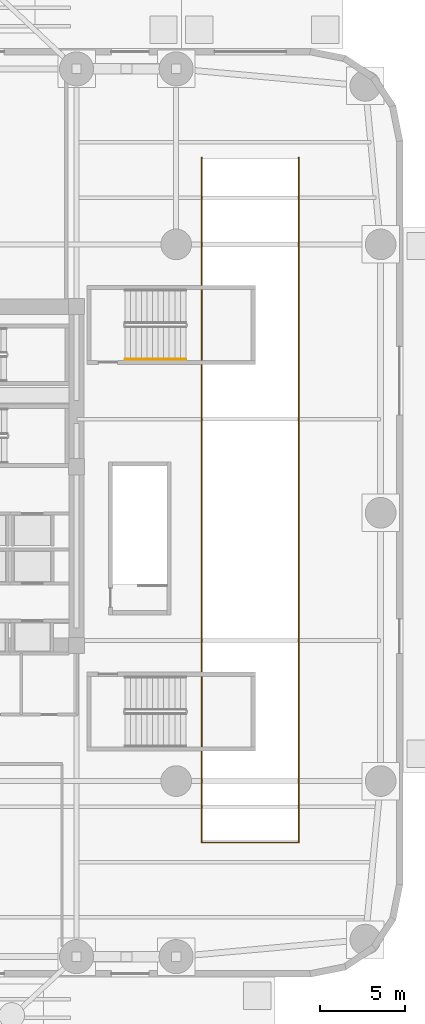
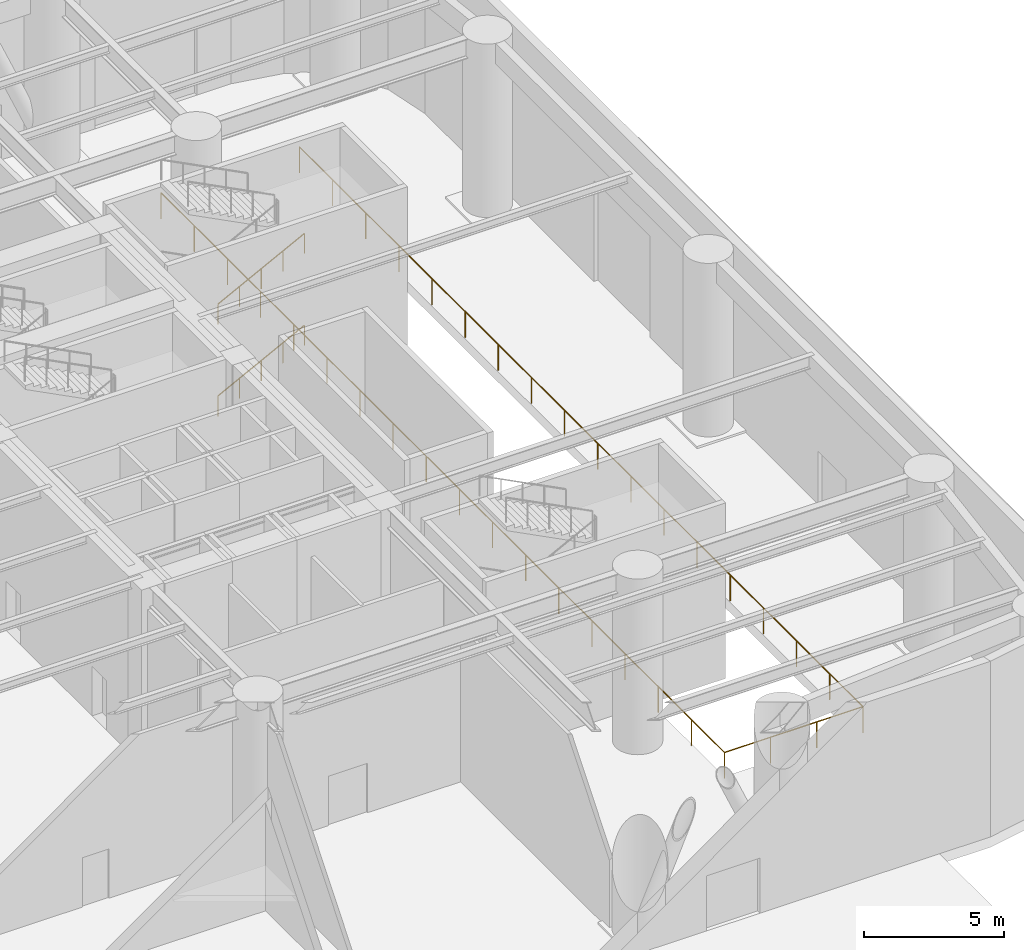
# One storey, part 22 of 25: 3 railings.
"""IFC4 building model written with IfcOpenShell, lengths in metres."""

from ifc_helpers import new_model, si_unit, direction, frame, origin, origin_2d, place, context, subcontext, project, spatial, circle, extrude, material, type_object, element, save


model = new_model("IFC4")

# Units and contexts
model_context = context("Model", 3, precision=1e-05, world=origin(), true_north=direction((0.0, 1.0)))
body_context = subcontext(model_context, "Body", "Model", "MODEL_VIEW")
ifc_project = project(units=[si_unit("LENGTHUNIT", "METRE"), si_unit("AREAUNIT", "SQUARE_METRE"), si_unit("VOLUMEUNIT", "CUBIC_METRE"), si_unit("PLANEANGLEUNIT", "RADIAN"), si_unit("MASSUNIT", "GRAM", prefix="KILO")], contexts=[model_context])

# Site, building, storey
site_placement = place(None, origin())
site = spatial("IfcSite", under=ifc_project, at=site_placement, CompositionType="ELEMENT")
building_placement = place(site_placement, origin())
building = spatial("IfcBuilding", under=site, at=building_placement, Name="Kolvaren Arena Tower", CompositionType="ELEMENT")
storey_placement = place(building_placement, origin())
storey = spatial("IfcBuildingStorey", under=building, at=storey_placement, Name="L00", CompositionType="ELEMENT", Elevation=0.0)

# Railings
ifc_material_1 = material(Name="Painted galvanized steel", Category="steel")
railing_type_1 = type_object("IfcRailingType", Name="GUARD-ST-110", PredefinedType="GUARDRAIL", material=ifc_material_1)
railing_placement = place(storey_placement, frame((67.699951171875, 48.10009765625, 0.0)))
element("IfcRailing", 1, at=railing_placement, inside=storey, type_object=railing_type_1, Name="Vehicle Ramp Well Guardrail (L00)", PredefinedType="GUARDRAIL", context=body_context, shape_type="SweptSolid", body=[
    extrude(circle(Radius=0.02392578125, at=origin_2d()), frame((0.0, 0.0, 1.1259765625), z_axis=(0.0, -1.0, 0.0), x_axis=(1.0, 0.0, 0.0)), (0.0, 0.0, 1.0), 40.2001953125),
    extrude(circle(Radius=0.02392578125, at=origin_2d()), frame((0.0, -40.2001953125, 1.1259765625), z_axis=(1.0, 0.0, 0.0), x_axis=(0.0, 1.0, 0.0)), (0.0, 0.0, 1.0), 5.699951171875),
    extrude(circle(Radius=0.02392578125, at=origin_2d()), frame((5.699951171875, -40.2001953125, 1.1259765625), z_axis=(0.0, 1.0, 0.0), x_axis=(-1.0, 0.0, 0.0)), (0.0, 0.0, 1.0), 40.2001953125),
    extrude(circle(Radius=0.02099609375, at=origin_2d()), origin(), (0.0, 0.0, 1.0), 1.101806640625),
    extrude(circle(Radius=0.02099609375, at=origin_2d()), frame((0.0, -2.36474609375, 0.0)), (0.0, 0.0, 1.0), 1.101806640625),
    extrude(circle(Radius=0.02099609375, at=origin_2d()), frame((0.0, -4.7294921875, 0.0)), (0.0, 0.0, 1.0), 1.101806640625),
    extrude(circle(Radius=0.02099609375, at=origin_2d()), frame((0.0, -7.09423828125, 0.0)), (0.0, 0.0, 1.0), 1.101806640625),
    extrude(circle(Radius=0.02099609375, at=origin_2d()), frame((0.0, -9.458984375, 0.0)), (0.0, 0.0, 1.0), 1.101806640625),
    extrude(circle(Radius=0.02099609375, at=origin_2d()), frame((0.0, -11.823486328125, 0.0)), (0.0, 0.0, 1.0), 1.101806640625),
    extrude(circle(Radius=0.02099609375, at=origin_2d()), frame((0.0, -14.188232421875, 0.0)), (0.0, 0.0, 1.0), 1.101806640625),
    extrude(circle(Radius=0.02099609375, at=origin_2d()), frame((0.0, -16.552978515625, 0.0)), (0.0, 0.0, 1.0), 1.101806640625),
    extrude(circle(Radius=0.02099609375, at=origin_2d()), frame((0.0, -18.917724609375, 0.0)), (0.0, 0.0, 1.0), 1.101806640625),
    extrude(circle(Radius=0.02099609375, at=origin_2d()), frame((0.0, -21.282470703125, 0.0)), (0.0, 0.0, 1.0), 1.101806640625),
    extrude(circle(Radius=0.02099609375, at=origin_2d()), frame((0.0, -23.647216796875, 0.0)), (0.0, 0.0, 1.0), 1.101806640625),
    extrude(circle(Radius=0.02099609375, at=origin_2d()), frame((0.0, -26.011962890625, 0.0)), (0.0, 0.0, 1.0), 1.101806640625),
    extrude(circle(Radius=0.02099609375, at=origin_2d()), frame((0.0, -28.376708984375, 0.0)), (0.0, 0.0, 1.0), 1.101806640625),
    extrude(circle(Radius=0.02099609375, at=origin_2d()), frame((0.0, -30.7412109375, 0.0)), (0.0, 0.0, 1.0), 1.101806640625),
    extrude(circle(Radius=0.02099609375, at=origin_2d()), frame((0.0, -33.10595703125, 0.0)), (0.0, 0.0, 1.0), 1.101806640625),
    extrude(circle(Radius=0.02099609375, at=origin_2d()), frame((0.0, -35.470703125, 0.0)), (0.0, 0.0, 1.0), 1.101806640625),
    extrude(circle(Radius=0.02099609375, at=origin_2d()), frame((0.0, -37.83544921875, 0.0)), (0.0, 0.0, 1.0), 1.101806640625),
    extrude(circle(Radius=0.02099609375, at=origin_2d()), frame((0.0, -40.2001953125, 0.0)), (0.0, 0.0, 1.0), 1.101806640625),
    extrude(circle(Radius=0.02099609375, at=origin_2d()), frame((1.89990234375, -40.2001953125, 0.0)), (0.0, 0.0, 1.0), 1.101806640625),
    extrude(circle(Radius=0.02099609375, at=origin_2d()), frame((3.800048828125, -40.2001953125, 0.0)), (0.0, 0.0, 1.0), 1.101806640625),
    extrude(circle(Radius=0.02099609375, at=origin_2d()), frame((5.699951171875, -40.2001953125, 0.0)), (0.0, 0.0, 1.0), 1.101806640625),
    extrude(circle(Radius=0.02099609375, at=origin_2d()), frame((5.699951171875, -37.83544921875, 0.0)), (0.0, 0.0, 1.0), 1.101806640625),
    extrude(circle(Radius=0.02099609375, at=origin_2d()), frame((5.699951171875, -35.470703125, 0.0)), (0.0, 0.0, 1.0), 1.101806640625),
    extrude(circle(Radius=0.02099609375, at=origin_2d()), frame((5.699951171875, -33.10595703125, 0.0)), (0.0, 0.0, 1.0), 1.101806640625),
    extrude(circle(Radius=0.02099609375, at=origin_2d()), frame((5.699951171875, -30.7412109375, 0.0)), (0.0, 0.0, 1.0), 1.101806640625),
    extrude(circle(Radius=0.02099609375, at=origin_2d()), frame((5.699951171875, -28.376708984375, 0.0)), (0.0, 0.0, 1.0), 1.101806640625),
    extrude(circle(Radius=0.02099609375, at=origin_2d()), frame((5.699951171875, -26.011962890625, 0.0)), (0.0, 0.0, 1.0), 1.101806640625),
    extrude(circle(Radius=0.02099609375, at=origin_2d()), frame((5.699951171875, -23.647216796875, 0.0)), (0.0, 0.0, 1.0), 1.101806640625),
    extrude(circle(Radius=0.02099609375, at=origin_2d()), frame((5.699951171875, -21.282470703125, 0.0)), (0.0, 0.0, 1.0), 1.101806640625),
    extrude(circle(Radius=0.02099609375, at=origin_2d()), frame((5.699951171875, -18.917724609375, 0.0)), (0.0, 0.0, 1.0), 1.101806640625),
    extrude(circle(Radius=0.02099609375, at=origin_2d()), frame((5.699951171875, -16.552978515625, 0.0)), (0.0, 0.0, 1.0), 1.101806640625),
    extrude(circle(Radius=0.02099609375, at=origin_2d()), frame((5.699951171875, -14.188232421875, 0.0)), (0.0, 0.0, 1.0), 1.101806640625),
    extrude(circle(Radius=0.02099609375, at=origin_2d()), frame((5.699951171875, -11.823486328125, 0.0)), (0.0, 0.0, 1.0), 1.101806640625),
    extrude(circle(Radius=0.02099609375, at=origin_2d()), frame((5.699951171875, -9.458984375, 0.0)), (0.0, 0.0, 1.0), 1.101806640625),
    extrude(circle(Radius=0.02099609375, at=origin_2d()), frame((5.699951171875, -7.09423828125, 0.0)), (0.0, 0.0, 1.0), 1.101806640625),
    extrude(circle(Radius=0.02099609375, at=origin_2d()), frame((5.699951171875, -4.7294921875, 0.0)), (0.0, 0.0, 1.0), 1.101806640625),
    extrude(circle(Radius=0.02099609375, at=origin_2d()), frame((5.699951171875, -2.36474609375, 0.0)), (0.0, 0.0, 1.0), 1.101806640625),
    extrude(circle(Radius=0.02099609375, at=origin_2d()), frame((5.699951171875, 0.0, 0.0)), (0.0, 0.0, 1.0), 1.101806640625),
])
ifc_material_2 = material(Name="Brushed stainless steel handrail", Category="steel")
railing_type_2 = type_object("IfcRailingType", Name="HRAIL-900", PredefinedType="HANDRAIL", material=ifc_material_2)
for number, where, name in (
    (2, (63.199951171875, 36.25, 0.166748046875), "L00 ST-A8 stair handrail 1"),
    (3, (63.199951171875, 36.25, 4.166748046875), "L00 ST-A8 stair handrail 3"),
):
    element("IfcRailing", number, at=place(storey_placement, frame(where)), inside=storey, type_object=railing_type_2, Name=name, PredefinedType="HANDRAIL", context=body_context, shape_type="SweptSolid", body=[
        extrude(circle(Radius=0.02392578125, at=origin_2d()), frame((0.0, 0.0, 0.8759765625), z_axis=(0.889251698267, 0.0, 0.45741820813), x_axis=(0.0, 1.0, 0.0)), (0.0, 0.0, 1.0), 4.0078125),
        extrude(circle(Radius=0.02099609375, at=origin_2d()), origin(), (0.0, 0.0, 1.0), 0.851806640625),
        extrude(circle(Radius=0.02099609375, at=origin_2d()), frame((0.89111328125, 0.0, 0.458251953125)), (0.0, 0.0, 1.0), 0.851806640625),
        extrude(circle(Radius=0.02099609375, at=origin_2d()), frame((1.781982421875, 0.0, 0.91650390625)), (0.0, 0.0, 1.0), 0.851806640625),
        extrude(circle(Radius=0.02099609375, at=origin_2d()), frame((2.6728515625, 0.0, 1.375)), (0.0, 0.0, 1.0), 0.851806640625),
        extrude(circle(Radius=0.02099609375, at=origin_2d()), frame((3.56396484375, 0.0, 1.833251953125)), (0.0, 0.0, 1.0), 0.851806640625),
    ])

save(model, "model.ifc")
